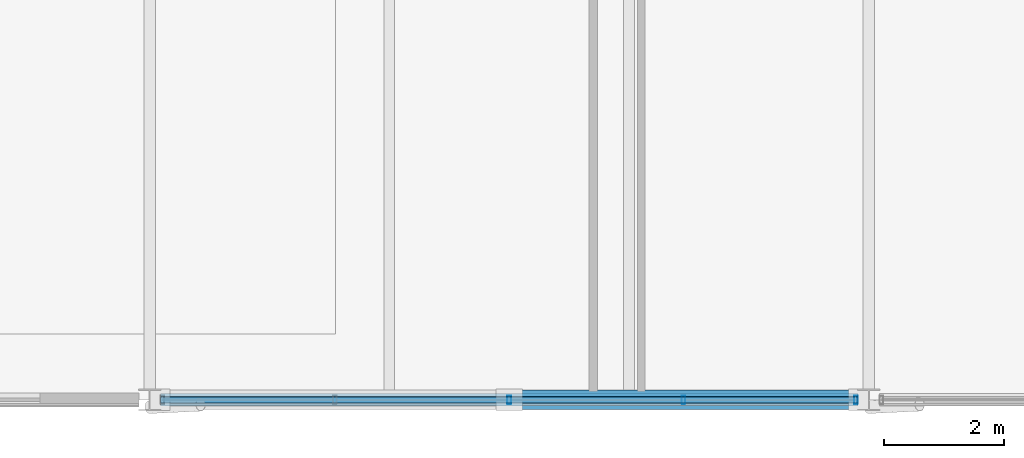
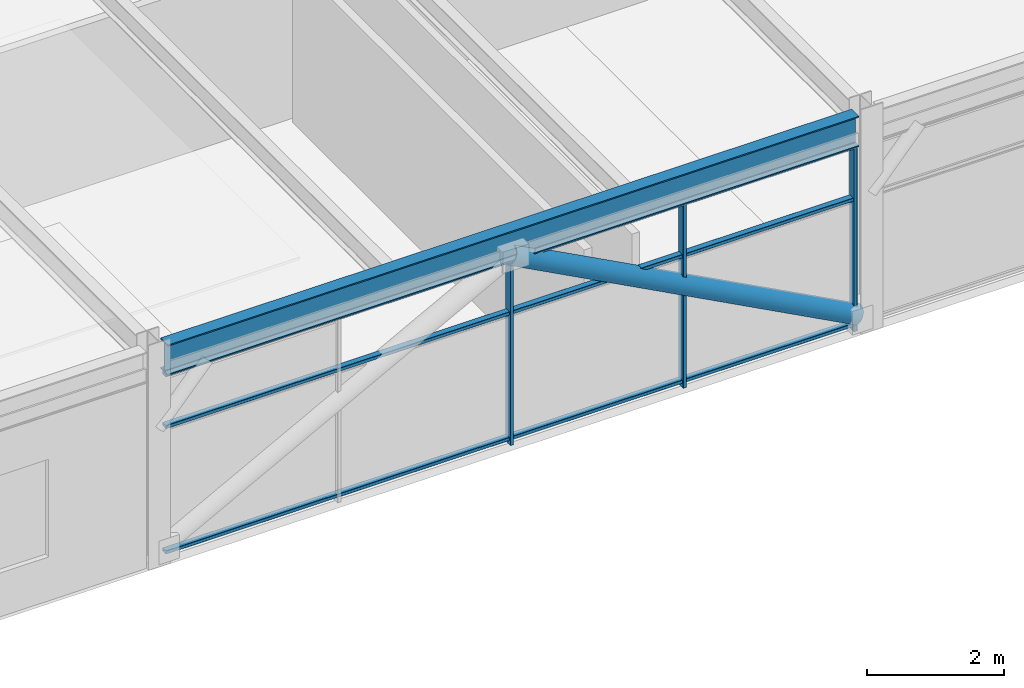
# One storey, part 6 of 32: 7 members, 1 beam, 1 element without a shape of its own.
"""IFC4 building model written with IfcOpenShell, lengths in metres."""

from ifc_helpers import new_model, si_unit, direction, frame, origin, origin_2d, place, context, subcontext, project, spatial, hollow_rectangle, hollow_circle, i_section, extrude, material, material_profile, profile_set, type_object, element, aggregate, save


model = new_model("IFC4")

# Units and contexts
model_context = context("Model", 3, precision=1e-05, world=origin(), true_north=direction((0.0, 1.0)))
body_context = subcontext(model_context, "Body", "Model", "MODEL_VIEW")
ifc_project = project(units=[si_unit("LENGTHUNIT", "METRE"), si_unit("AREAUNIT", "SQUARE_METRE"), si_unit("VOLUMEUNIT", "CUBIC_METRE"), si_unit("PLANEANGLEUNIT", "RADIAN"), si_unit("MASSUNIT", "GRAM", prefix="KILO")], contexts=[model_context])

# Site, building, storey
site_placement = place(None, origin())
site = spatial("IfcSite", under=ifc_project, at=site_placement, CompositionType="ELEMENT")
building_placement = place(site_placement, origin())
building = spatial("IfcBuilding", under=site, at=building_placement, Name="Girod Span Mobility Hub", CompositionType="ELEMENT")
storey_placement = place(building_placement, frame((0.0, 0.0, 61.60009765625)))
storey = spatial("IfcBuildingStorey", under=building, at=storey_placement, Name="L15", CompositionType="ELEMENT", Elevation=61.60009765625)

# Beam
ifc_material_1 = material(Name="Steel A992 Grade 50", Category="steel")
ifc_material_profile_1 = material_profile(ifc_material_1, i_section(OverallWidth=0.2119140625, OverallDepth=0.5439453125, WebThickness=0.01318359375, FlangeThickness=0.021240234375, FilletRadius=0.014892578125, at=origin_2d()), Name="W21X83")
ifc_profile_set_1 = profile_set([ifc_material_profile_1], Name="Steel A992 Grade 50")
beam_type = type_object("IfcBeamType", Name="BM-STL-W21X83", PredefinedType="SPANDREL", material=ifc_profile_set_1)
beam_placement = place(storey_placement, frame((60.181396484375, 45.0, 3.56787109375), z_axis=(1.0, 0.0, 0.0), x_axis=(0.0, 1.0, 0.0)))
element("IfcBeam", 1, at=beam_placement, inside=storey, type_object=beam_type, Name="Girder 6-7/D L15", PredefinedType="SPANDREL", context=body_context, shape_type="SweptSolid", body=[
    extrude(i_section(OverallWidth=0.2119140625, OverallDepth=0.5439453125, WebThickness=0.01318359375, FlangeThickness=0.021240234375, FilletRadius=0.014892578125, at=origin_2d()), origin(), (0.0, 0.0, 1.0), 11.63720703125),
])

# Curtain wall, members
ifc_material_2 = material(Name="Thermally Broken Anodised Aluminium", Category="aluminium")
curtain_wall_type = type_object("IfcCurtainWallType", Name="CW-1164X330", PredefinedType="USERDEFINED", material=ifc_material_2)
curtain_wall_placement = place(storey_placement, origin())
curtain_wall = element("IfcCurtainWall", 2, at=curtain_wall_placement, inside=storey, type_object=curtain_wall_type, Name="Unitised Curtain Wall CW-L15-S06 L15", ObjectType="UNITISED CURTAIN WALL", PredefinedType="USERDEFINED")
ifc_material_3 = material(Name="Thermally Broken Anodised Aluminium", Category="aluminium")
ifc_material_profile_2 = material_profile(ifc_material_3, hollow_rectangle(XDim=0.139892578125, YDim=0.06005859375, WallThickness=0.00341796875, InnerFilletRadius=0.00341796875, OuterFilletRadius=0.007080078125, at=origin_2d()), Name="CW-ML-60X140")
ifc_profile_set_2 = profile_set([ifc_material_profile_2], Name="Thermally Broken Anodised Aluminium")
member_type_1 = type_object("IfcMemberType", Name="CWM-ML-4", PredefinedType="MULLION", material=ifc_profile_set_2)
member_1_placement = place(storey_placement, frame((66.0, 45.0, 0.0), z_axis=(0.0, 0.0, 1.0), x_axis=(0.0, 1.0, 0.0)))
member_1 = element("IfcMember", 3, at=member_1_placement, type_object=member_type_1, Name="Curtain Wall Mullion CW-L15-S06-M2", PredefinedType="MULLION", context=body_context, shape_type="SweptSolid", body=[
    extrude(hollow_rectangle(XDim=0.139892578125, YDim=0.06005859375, WallThickness=0.00341796875, InnerFilletRadius=0.00341796875, OuterFilletRadius=0.007080078125, at=origin_2d()), origin(), (0.0, 0.0, 1.0), 3.2958984375),
])
member_2_placement = place(storey_placement, frame((68.90869140625, 45.0, 0.0), z_axis=(0.0, 0.0, 1.0), x_axis=(0.0, 1.0, 0.0)))
member_2 = element("IfcMember", 4, at=member_2_placement, type_object=member_type_1, Name="Curtain Wall Mullion CW-L15-S06-M3", PredefinedType="MULLION", context=body_context, shape_type="SweptSolid", body=[
    extrude(hollow_rectangle(XDim=0.139892578125, YDim=0.06005859375, WallThickness=0.00341796875, InnerFilletRadius=0.00341796875, OuterFilletRadius=0.007080078125, at=origin_2d()), origin(), (0.0, 0.0, 1.0), 3.2958984375),
])
member_3_placement = place(storey_placement, frame((71.785400390625, 45.0, 0.0), z_axis=(0.0, 0.0, 1.0), x_axis=(0.0, 1.0, 0.0)))
member_3 = element("IfcMember", 5, at=member_3_placement, type_object=member_type_1, Name="Curtain Wall Mullion CW-L15-S06-M4", PredefinedType="MULLION", context=body_context, shape_type="SweptSolid", body=[
    extrude(hollow_rectangle(XDim=0.139892578125, YDim=0.06005859375, WallThickness=0.00341796875, InnerFilletRadius=0.00341796875, OuterFilletRadius=0.007080078125, at=origin_2d()), origin(), (0.0, 0.0, 1.0), 3.2958984375),
])
ifc_material_4 = material(Name="Thermally Broken Anodised Aluminium", Category="aluminium")
ifc_material_profile_3 = material_profile(ifc_material_4, hollow_rectangle(XDim=0.10498046875, YDim=0.06005859375, WallThickness=0.00341796875, InnerFilletRadius=0.00341796875, OuterFilletRadius=0.007080078125, at=origin_2d()), Name="CW-TR-60X105")
ifc_profile_set_3 = profile_set([ifc_material_profile_3], Name="Thermally Broken Anodised Aluminium")
member_type_2 = type_object("IfcMemberType", Name="CWM-TR-4", PredefinedType="USERDEFINED", material=ifc_profile_set_3)
member_4_placement = place(storey_placement, frame((60.1826171875, 45.0, 0.10986328125), z_axis=(1.0, 0.0, 0.0), x_axis=(0.0, 1.0, 0.0)))
member_4 = element("IfcMember", 6, at=member_4_placement, type_object=member_type_2, Name="Curtain Wall Transom CW-L15-S06-T1", ObjectType="TRANSOM", PredefinedType="USERDEFINED", context=body_context, shape_type="SweptSolid", body=[
    extrude(hollow_rectangle(XDim=0.10498046875, YDim=0.06005859375, WallThickness=0.00341796875, InnerFilletRadius=0.00341796875, OuterFilletRadius=0.007080078125, at=origin_2d()), origin(), (0.0, 0.0, 1.0), 11.634765625),
])
member_5_placement = place(storey_placement, frame((60.1826171875, 45.0, 2.343017578125), z_axis=(1.0, 0.0, 0.0), x_axis=(0.0, 1.0, 0.0)))
member_5 = element("IfcMember", 7, at=member_5_placement, type_object=member_type_2, Name="Curtain Wall Transom CW-L15-S06-T2", ObjectType="TRANSOM", PredefinedType="USERDEFINED", context=body_context, shape_type="SweptSolid", body=[
    extrude(hollow_rectangle(XDim=0.10498046875, YDim=0.06005859375, WallThickness=0.00341796875, InnerFilletRadius=0.00341796875, OuterFilletRadius=0.007080078125, at=origin_2d()), origin(), (0.0, 0.0, 1.0), 11.634765625),
])
member_6_placement = place(storey_placement, frame((60.1826171875, 45.0, 3.265869140625), z_axis=(1.0, 0.0, 0.0), x_axis=(0.0, 1.0, 0.0)))
member_6 = element("IfcMember", 8, at=member_6_placement, type_object=member_type_2, Name="Curtain Wall Transom CW-L15-S06-T3", ObjectType="TRANSOM", PredefinedType="USERDEFINED", context=body_context, shape_type="SweptSolid", body=[
    extrude(hollow_rectangle(XDim=0.10498046875, YDim=0.06005859375, WallThickness=0.00341796875, InnerFilletRadius=0.00341796875, OuterFilletRadius=0.007080078125, at=origin_2d()), origin(), (0.0, 0.0, 1.0), 11.634765625),
])
aggregate(curtain_wall, [member_1, member_2, member_3, member_4, member_5, member_6])

# Member
ifc_material_5 = material(Name="Steel HSS A500 Grade C", Category="steel")
ifc_material_profile_4 = material_profile(ifc_material_5, hollow_circle(Radius=0.162109375, WallThickness=0.01171875, at=origin_2d()), Name="HSS324X12.7")
ifc_profile_set_4 = profile_set([ifc_material_profile_4], Name="Steel HSS A500 Grade C")
member_type_3 = type_object("IfcMemberType", Name="MB-BR-HSS324", PredefinedType="BRACE", material=ifc_profile_set_4)
member_7_placement = place(storey_placement, frame((71.83544921875, 45.0, 0.25), z_axis=(-0.882747253202, 0.0, 0.469848153093), x_axis=(0.0, -1.0, 0.0)))
element("IfcMember", 9, at=member_7_placement, inside=storey, type_object=member_type_3, Name="Upper Diagrid Brace 6/D-R L15", PredefinedType="BRACE", context=body_context, shape_type="SweptSolid", body=[
    extrude(hollow_circle(Radius=0.162109375, WallThickness=0.01171875, at=origin_2d()), origin(), (0.0, 0.0, 1.0), 6.610595703125),
])

save(model, "model.ifc")
